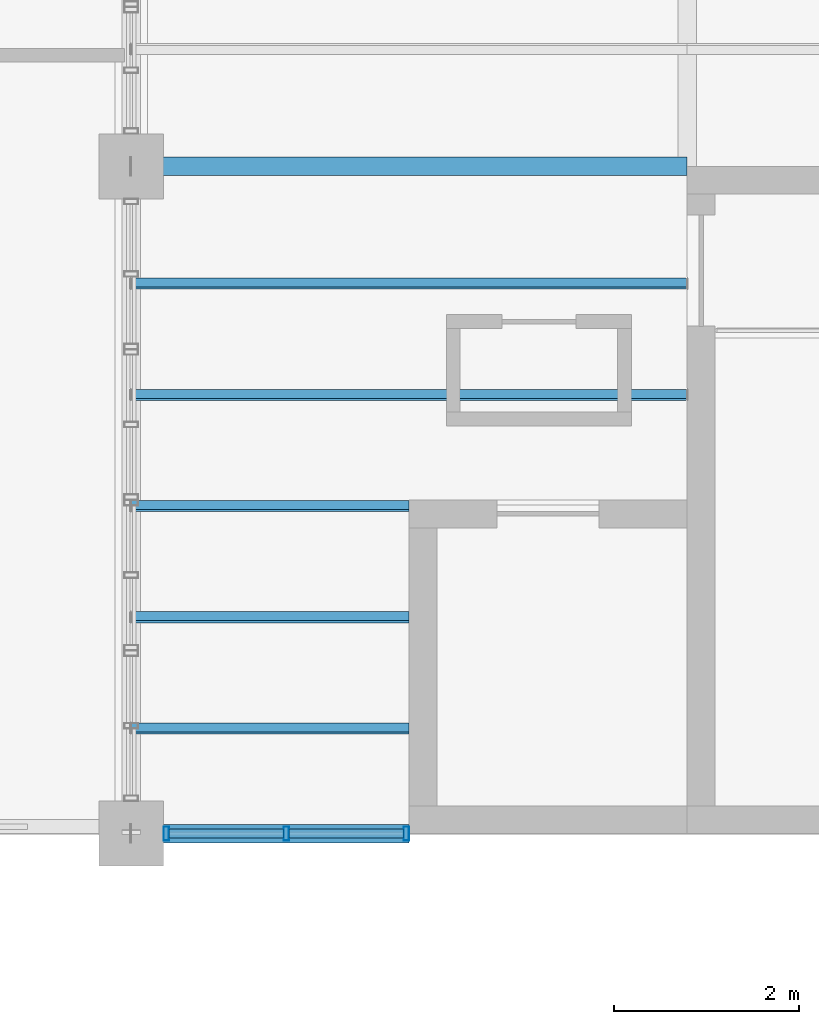
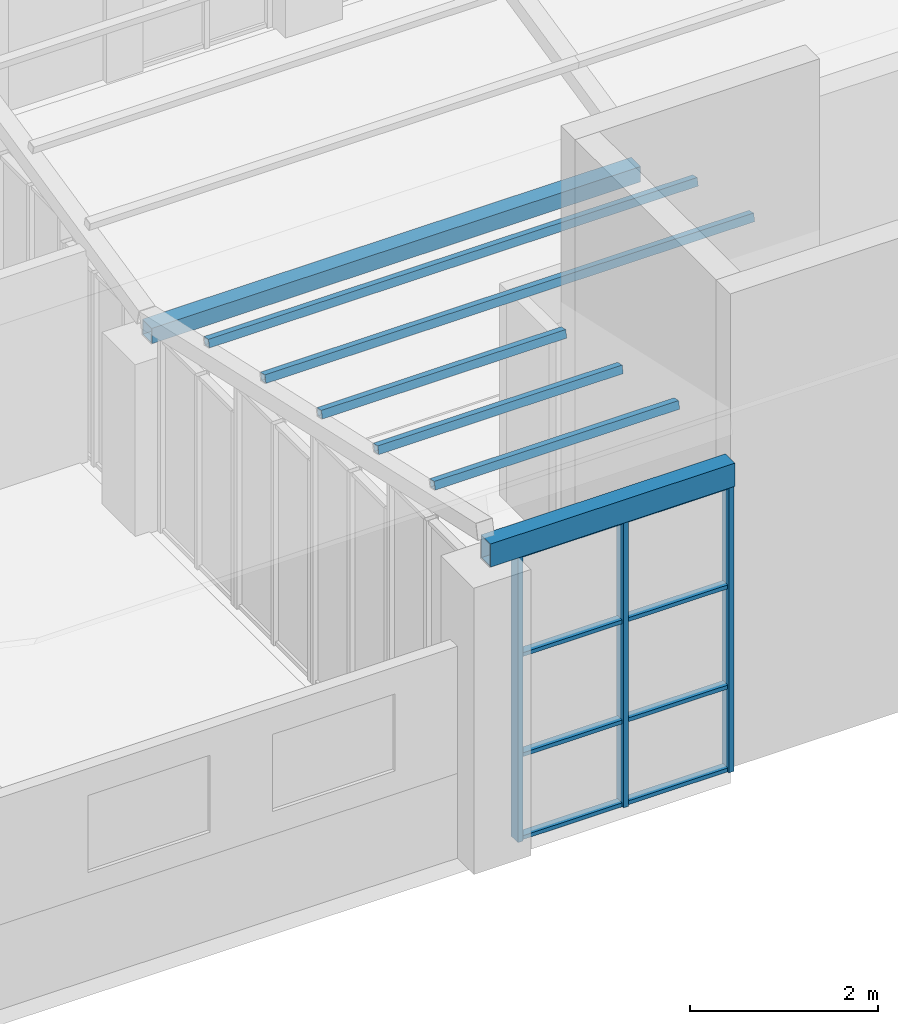
# One storey, part 19 of 51: 16 members, 2 beams, 1 element without a shape of its own.
"""IFC4 building model written with IfcOpenShell, lengths in metres."""

from ifc_helpers import new_model, si_unit, direction, frame, origin, origin_2d, place, context, subcontext, project, spatial, hollow_rectangle, extrude, material, material_profile, profile_set, type_object, element, aggregate, save


model = new_model("IFC4")

# Units and contexts
model_context = context("Model", 3, precision=1e-05, world=origin(), true_north=direction((0.0, 1.0)))
body_context = subcontext(model_context, "Body", "Model", "MODEL_VIEW")
ifc_project = project(units=[si_unit("LENGTHUNIT", "METRE"), si_unit("AREAUNIT", "SQUARE_METRE"), si_unit("VOLUMEUNIT", "CUBIC_METRE"), si_unit("PLANEANGLEUNIT", "RADIAN"), si_unit("MASSUNIT", "GRAM", prefix="KILO")], contexts=[model_context])

# Site, building, storey
site_placement = place(None, origin())
site = spatial("IfcSite", under=ifc_project, at=site_placement, CompositionType="ELEMENT")
building_placement = place(site_placement, origin())
building = spatial("IfcBuilding", under=site, at=building_placement, Name="Laocheng Heights Fire and Rescue Headquarters", CompositionType="ELEMENT")
storey_placement = place(building_placement, frame((0.0, 0.0, 21.0)))
storey = spatial("IfcBuildingStorey", under=building, at=storey_placement, Name="L05", CompositionType="ELEMENT", Elevation=21.0)

# Curtain wall, members
ifc_material_1 = material(Name="Dark anodised aluminium unitised curtain wall, low-e double glazing", Category="aluminium")
curtain_wall_type = type_object("IfcCurtainWallType", Name="CW 2650 x 3714 CREW ROOF LOUNGE GLAZING", PredefinedType="NOTDEFINED", material=ifc_material_1)
curtain_wall_placement = place(storey_placement, origin())
curtain_wall = element("IfcCurtainWall", 1, at=curtain_wall_placement, inside=storey, type_object=curtain_wall_type, Name="X9-W CREW LOUNGE SOUTH L05", PredefinedType="NOTDEFINED")
ifc_material_2 = material(Name="Dark anodised aluminium 6063-T5 extrusion", Category="aluminium")
ifc_material_profile_1 = material_profile(ifc_material_2, hollow_rectangle(XDim=0.14990234375, YDim=0.06005859375, WallThickness=0.0029296875, at=origin_2d()), Name="AL MULLION 150x60x3 CREW ROOF LOUNGE GLAZING")
ifc_profile_set_1 = profile_set([ifc_material_profile_1], Name="Dark anodised aluminium 6063-T5 extrusion")
member_type_1 = type_object("IfcMemberType", Name="AL MULLION 150x60x3 CREW ROOF LOUNGE GLAZING", PredefinedType="MULLION", material=ifc_profile_set_1)
member_1_placement = place(storey_placement, frame((96.3798828125, 36.0, 0.0), z_axis=(0.0, 0.0, 1.0), x_axis=(0.0, 1.0, 0.0)))
member_1 = element("IfcMember", 2, at=member_1_placement, type_object=member_type_1, Name="X9-W mullion 1", PredefinedType="MULLION", context=body_context, shape_type="SweptSolid", body=[
    extrude(hollow_rectangle(XDim=0.14990234375, YDim=0.06005859375, WallThickness=0.0029296875, at=origin_2d()), origin(), (0.0, 0.0, 1.0), 3.71435546875),
])
member_2_placement = place(storey_placement, frame((97.675048828125, 36.0, 0.0), z_axis=(0.0, 0.0, 1.0), x_axis=(0.0, 1.0, 0.0)))
member_2 = element("IfcMember", 3, at=member_2_placement, type_object=member_type_1, Name="X9-W mullion 2", PredefinedType="MULLION", context=body_context, shape_type="SweptSolid", body=[
    extrude(hollow_rectangle(XDim=0.14990234375, YDim=0.06005859375, WallThickness=0.0029296875, at=origin_2d()), origin(), (0.0, 0.0, 1.0), 3.71435546875),
])
member_3_placement = place(storey_placement, frame((98.969970703125, 36.0, 0.0), z_axis=(0.0, 0.0, 1.0), x_axis=(0.0, 1.0, 0.0)))
member_3 = element("IfcMember", 4, at=member_3_placement, type_object=member_type_1, Name="X9-W mullion 3", PredefinedType="MULLION", context=body_context, shape_type="SweptSolid", body=[
    extrude(hollow_rectangle(XDim=0.14990234375, YDim=0.06005859375, WallThickness=0.0029296875, at=origin_2d()), origin(), (0.0, 0.0, 1.0), 3.71435546875),
])
ifc_material_3 = material(Name="Dark anodised aluminium 6063-T5 extrusion", Category="aluminium")
ifc_material_profile_2 = material_profile(ifc_material_3, hollow_rectangle(XDim=0.10009765625, YDim=0.050048828125, WallThickness=0.0029296875, at=origin_2d()), Name="AL TRANSOM 100x50x3 CREW ROOF LOUNGE GLAZING")
ifc_profile_set_2 = profile_set([ifc_material_profile_2], Name="Dark anodised aluminium 6063-T5 extrusion")
member_type_2 = type_object("IfcMemberType", Name="AL TRANSOM 100x50x3 CREW ROOF LOUNGE GLAZING", PredefinedType="USERDEFINED", material=ifc_profile_set_2)
member_4_placement = place(storey_placement, frame((96.409912109375, 36.0, 0.02490234375), z_axis=(1.0, 0.0, 0.0), x_axis=(0.0, 1.0, 0.0)))
member_4 = element("IfcMember", 5, at=member_4_placement, type_object=member_type_2, Name="X9-W transom 1.1", ObjectType="TRANSOM", PredefinedType="USERDEFINED", context=body_context, shape_type="SweptSolid", body=[
    extrude(hollow_rectangle(XDim=0.10009765625, YDim=0.050048828125, WallThickness=0.0029296875, at=origin_2d()), origin(), (0.0, 0.0, 1.0), 1.235107421875),
])
member_5_placement = place(storey_placement, frame((96.409912109375, 36.0, 1.10009765625), z_axis=(1.0, 0.0, 0.0), x_axis=(0.0, 1.0, 0.0)))
member_5 = element("IfcMember", 6, at=member_5_placement, type_object=member_type_2, Name="X9-W transom 1.2", ObjectType="TRANSOM", PredefinedType="USERDEFINED", context=body_context, shape_type="SweptSolid", body=[
    extrude(hollow_rectangle(XDim=0.10009765625, YDim=0.050048828125, WallThickness=0.0029296875, at=origin_2d()), origin(), (0.0, 0.0, 1.0), 1.235107421875),
])
member_6_placement = place(storey_placement, frame((96.409912109375, 36.0, 2.39990234375), z_axis=(1.0, 0.0, 0.0), x_axis=(0.0, 1.0, 0.0)))
member_6 = element("IfcMember", 7, at=member_6_placement, type_object=member_type_2, Name="X9-W transom 1.3", ObjectType="TRANSOM", PredefinedType="USERDEFINED", context=body_context, shape_type="SweptSolid", body=[
    extrude(hollow_rectangle(XDim=0.10009765625, YDim=0.050048828125, WallThickness=0.0029296875, at=origin_2d()), origin(), (0.0, 0.0, 1.0), 1.235107421875),
])
member_7_placement = place(storey_placement, frame((96.409912109375, 36.0, 3.689453125), z_axis=(1.0, 0.0, 0.0), x_axis=(0.0, 1.0, 0.0)))
member_7 = element("IfcMember", 8, at=member_7_placement, type_object=member_type_2, Name="X9-W transom 1.4", ObjectType="TRANSOM", PredefinedType="USERDEFINED", context=body_context, shape_type="SweptSolid", body=[
    extrude(hollow_rectangle(XDim=0.10009765625, YDim=0.050048828125, WallThickness=0.0029296875, at=origin_2d()), origin(), (0.0, 0.0, 1.0), 1.235107421875),
])
member_8_placement = place(storey_placement, frame((97.705078125, 36.0, 0.02490234375), z_axis=(1.0, 0.0, 0.0), x_axis=(0.0, 1.0, 0.0)))
member_8 = element("IfcMember", 9, at=member_8_placement, type_object=member_type_2, Name="X9-W transom 2.1", ObjectType="TRANSOM", PredefinedType="USERDEFINED", context=body_context, shape_type="SweptSolid", body=[
    extrude(hollow_rectangle(XDim=0.10009765625, YDim=0.050048828125, WallThickness=0.0029296875, at=origin_2d()), origin(), (0.0, 0.0, 1.0), 1.23486328125),
])
member_9_placement = place(storey_placement, frame((97.705078125, 36.0, 1.10009765625), z_axis=(1.0, 0.0, 0.0), x_axis=(0.0, 1.0, 0.0)))
member_9 = element("IfcMember", 10, at=member_9_placement, type_object=member_type_2, Name="X9-W transom 2.2", ObjectType="TRANSOM", PredefinedType="USERDEFINED", context=body_context, shape_type="SweptSolid", body=[
    extrude(hollow_rectangle(XDim=0.10009765625, YDim=0.050048828125, WallThickness=0.0029296875, at=origin_2d()), origin(), (0.0, 0.0, 1.0), 1.23486328125),
])
member_10_placement = place(storey_placement, frame((97.705078125, 36.0, 2.39990234375), z_axis=(1.0, 0.0, 0.0), x_axis=(0.0, 1.0, 0.0)))
member_10 = element("IfcMember", 11, at=member_10_placement, type_object=member_type_2, Name="X9-W transom 2.3", ObjectType="TRANSOM", PredefinedType="USERDEFINED", context=body_context, shape_type="SweptSolid", body=[
    extrude(hollow_rectangle(XDim=0.10009765625, YDim=0.050048828125, WallThickness=0.0029296875, at=origin_2d()), origin(), (0.0, 0.0, 1.0), 1.23486328125),
])
member_11_placement = place(storey_placement, frame((97.705078125, 36.0, 3.689453125), z_axis=(1.0, 0.0, 0.0), x_axis=(0.0, 1.0, 0.0)))
member_11 = element("IfcMember", 12, at=member_11_placement, type_object=member_type_2, Name="X9-W transom 2.4", ObjectType="TRANSOM", PredefinedType="USERDEFINED", context=body_context, shape_type="SweptSolid", body=[
    extrude(hollow_rectangle(XDim=0.10009765625, YDim=0.050048828125, WallThickness=0.0029296875, at=origin_2d()), origin(), (0.0, 0.0, 1.0), 1.23486328125),
])
aggregate(curtain_wall, [member_1, member_2, member_3, member_4, member_5, member_6, member_7, member_8, member_9, member_10, member_11])

# Members
ifc_material_4 = material(Name="Steel Q355B", Category="steel")
ifc_material_profile_3 = material_profile(ifc_material_4, hollow_rectangle(XDim=0.10009765625, YDim=0.10009765625, WallThickness=0.0048828125, at=origin_2d()), Name="RHS 100x100x5")
ifc_profile_set_3 = profile_set([ifc_material_profile_3], Name="Steel Q355B")
member_type_3 = type_object("IfcMemberType", Name="RHS 100x100x5 PURLIN", PredefinedType="PURLIN", material=ifc_profile_set_3)
for number, where, z_axis, x_axis, name in (
    (13, (96.0, 41.934814453125, 2.973876953125), (1.0, 0.0, 0.0), (0.0, 0.976187089372, -0.216930326473), "Butterfly purlin S 1.2"),
    (14, (96.0, 40.73486328125, 3.240478515625), (1.0, 0.0, 0.0), (0.0, 0.976187089372, -0.216930326473), "Butterfly purlin S 2.4"),
):
    element("IfcMember", number, at=place(storey_placement, frame(where, z_axis=z_axis, x_axis=x_axis)), inside=storey, type_object=member_type_3, Name=name, PredefinedType="PURLIN", context=body_context, shape_type="SweptSolid", body=[
        extrude(hollow_rectangle(XDim=0.10009765625, YDim=0.10009765625, WallThickness=0.0048828125, at=origin_2d()), origin(), (0.0, 0.0, 1.0), 6.0),
    ])
for number, where, z_axis, x_axis, name in (
    (15, (96.0, 39.534912109375, 3.507080078125), (1.0, 0.0, 0.0), (0.0, 0.976187089372, -0.216930326473), "Butterfly purlin S 3.6"),
    (16, (96.0, 38.3349609375, 3.773681640625), (1.0, 0.0, 0.0), (0.0, 0.976187089372, -0.216930326473), "Butterfly purlin S 4.8"),
    (17, (96.0, 37.135009765625, 4.04052734375), (1.0, 0.0, 0.0), (0.0, 0.976187089372, -0.216930326473), "Butterfly purlin S 6"),
):
    element("IfcMember", number, at=place(storey_placement, frame(where, z_axis=z_axis, x_axis=x_axis)), inside=storey, type_object=member_type_3, Name=name, PredefinedType="PURLIN", context=body_context, shape_type="SweptSolid", body=[
        extrude(hollow_rectangle(XDim=0.10009765625, YDim=0.10009765625, WallThickness=0.0048828125, at=origin_2d()), origin(), (0.0, 0.0, 1.0), 3.0),
    ])

# Beams
ifc_material_5 = material(Name="Steel Q355B", Category="steel")
ifc_material_profile_4 = material_profile(ifc_material_5, hollow_rectangle(XDim=0.199951171875, YDim=0.300048828125, WallThickness=0.010009765625, at=origin_2d()), Name="RHS 300x200x10")
ifc_profile_set_4 = profile_set([ifc_material_profile_4], Name="Steel Q355B")
beam_type_1 = type_object("IfcBeamType", Name="RHS 300x200x10 EAVE BEAM", PredefinedType="BEAM", material=ifc_profile_set_4)
beam_1_placement = place(storey_placement, frame((96.0, 36.0, 3.864501953125), z_axis=(1.0, 0.0, 0.0), x_axis=(0.0, 1.0, 0.0)))
element("IfcBeam", 18, at=beam_1_placement, inside=storey, type_object=beam_type_1, Name="Butterfly eave beam S", PredefinedType="BEAM", context=body_context, shape_type="SweptSolid", body=[
    extrude(hollow_rectangle(XDim=0.199951171875, YDim=0.300048828125, WallThickness=0.010009765625, at=origin_2d()), origin(), (0.0, 0.0, 1.0), 3.0),
])
ifc_material_6 = material(Name="Steel Q355B", Category="steel")
ifc_material_profile_5 = material_profile(ifc_material_6, hollow_rectangle(XDim=0.199951171875, YDim=0.199951171875, WallThickness=0.008056640625, at=origin_2d()), Name="SHS 200x200x8")
ifc_profile_set_5 = profile_set([ifc_material_profile_5], Name="Steel Q355B")
beam_type_2 = type_object("IfcBeamType", Name="SHS 200x200x8 VALLEY BEAM", PredefinedType="BEAM", material=ifc_profile_set_5)
beam_2_placement = place(storey_placement, frame((96.0, 43.199951171875, 2.347412109375), z_axis=(1.0, 0.0, 0.0), x_axis=(0.0, 1.0, 0.0)))
element("IfcBeam", 19, at=beam_2_placement, inside=storey, type_object=beam_type_2, Name="Butterfly valley beam", PredefinedType="BEAM", context=body_context, shape_type="SweptSolid", body=[
    extrude(hollow_rectangle(XDim=0.199951171875, YDim=0.199951171875, WallThickness=0.008056640625, at=origin_2d()), origin(), (0.0, 0.0, 1.0), 6.0),
])

save(model, "model.ifc")
